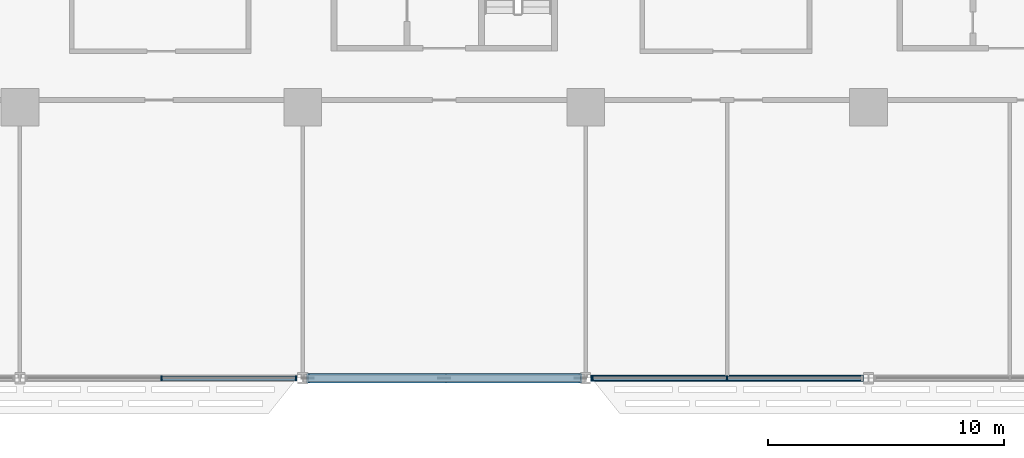
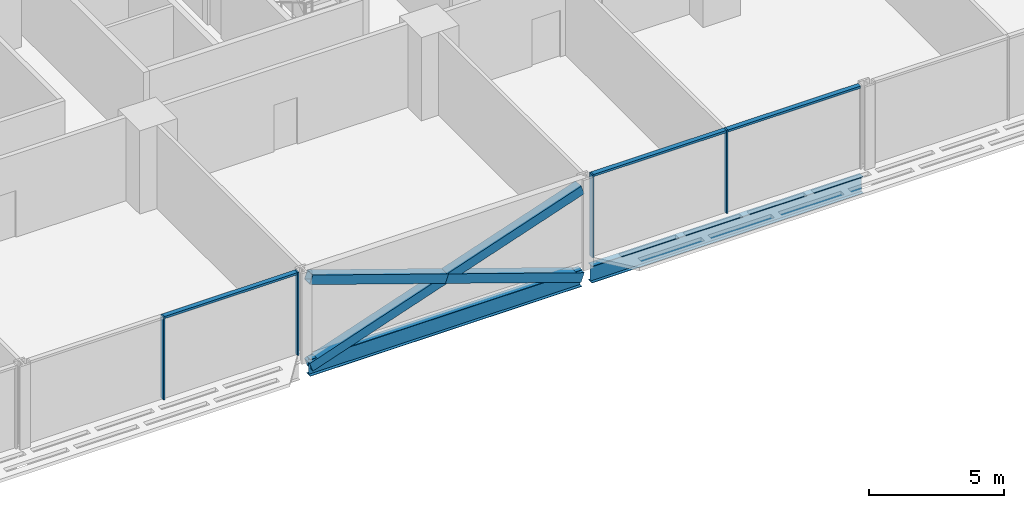
# One storey, part 4 of 29: 10 members, 2 beams, 2 elements without a shape of their own.
"""IFC4 building model written with IfcOpenShell, lengths in metres."""

import ifcopenshell
import ifcopenshell.guid

model = None  # the IFC model being written
_history = None  # IfcOwnerHistory: only IFC2X3 demands one
_inside = {}  # id of a spatial element -> (the spatial element, [elements in it])
_under = {}  # id of a project, library or spatial element -> (it, [spatial elements below it])
_declared = {}  # id of a project -> (the project, [libraries it declares])
_typed = {}  # id of a type object -> (the type object, [elements of that type])
_made_of = {}  # id of a material, layer set ... -> (it, [elements and type objects made of it])


def new_model(schema):
    """Start an empty IFC model of exactly this schema.

    Asked for "IFC4X3", IfcOpenShell would pick the latest addendum, in which some entities
    have other attributes; the version numbers below select the first issue.
    IFC2X3 requires an IfcOwnerHistory on every rooted entity: one is made here for all.
    """
    global model, _history
    if schema == "IFC4X3":
        model = ifcopenshell.file(schema_version=(4, 3, 0, 0))
    else:
        model = ifcopenshell.file(schema=schema)
    _inside.clear()
    _under.clear()
    _declared.clear()
    _typed.clear()
    _made_of.clear()
    _history = None
    if model.schema == "IFC2X3":
        org = make("IfcOrganization", Name="unknown")
        user = make(
            "IfcPersonAndOrganization",
            ThePerson=make("IfcPerson", FamilyName="unknown"),
            TheOrganization=org,
        )
        app = make(
            "IfcApplication",
            ApplicationDeveloper=org,
            Version="unknown",
            ApplicationFullName="unknown",
            ApplicationIdentifier="unknown",
        )
        _history = make(
            "IfcOwnerHistory",
            OwningUser=user,
            OwningApplication=app,
            ChangeAction="ADDED",
            CreationDate=0,
        )
    return model


def make(cls, **values):
    """One entity of the class cls with the attributes given. An attribute that is None is left unset."""
    return model.create_entity(
        cls, **{name: value for name, value in values.items() if value is not None}
    )


def rooted(cls, **values):
    """An entity with a GlobalId (a new one), such as an element, a storey or a relation."""
    return make(cls, GlobalId=ifcopenshell.guid.new(), OwnerHistory=_history, **values)


def si_unit(unit_type, name, prefix=None):
    """IfcSIUnit, for example si_unit("LENGTHUNIT", "METRE", prefix="MILLI")."""
    return make("IfcSIUnit", UnitType=unit_type, Prefix=prefix, Name=name)


def assignment(units):
    """IfcUnitAssignment: the units of a project."""
    return None if units is None else make("IfcUnitAssignment", Units=units)


def point(xyz):
    """IfcCartesianPoint."""
    return None if xyz is None else make("IfcCartesianPoint", Coordinates=xyz)


def direction(xyz):
    """IfcDirection."""
    return None if xyz is None else make("IfcDirection", DirectionRatios=xyz)


def frame(location, z_axis=None, x_axis=None):
    """IfcAxis2Placement3D, a coordinate frame: its origin and axes. An axis left out is left unset."""
    return make(
        "IfcAxis2Placement3D",
        Location=point(location),
        Axis=direction(z_axis),
        RefDirection=direction(x_axis),
    )


def frame_2d(location, x_axis=None):
    """IfcAxis2Placement2D, a coordinate frame in the plane: its origin and x axis."""
    return make(
        "IfcAxis2Placement2D", Location=point(location), RefDirection=direction(x_axis)
    )


def origin():
    """The frame at (0, 0, 0) with its axes left unset."""
    return frame((0.0, 0.0, 0.0))


def origin_2d():
    """The frame at (0, 0) in the plane with its x axis left unset."""
    return frame_2d((0.0, 0.0))


def place(relative_to, where):
    """IfcLocalPlacement: puts the frame where relative to a parent placement (None: the world)."""
    return make(
        "IfcLocalPlacement", PlacementRelTo=relative_to, RelativePlacement=where
    )


def context(
    kind, dimensions, precision=None, world=None, true_north=None, identifier=None
):
    """IfcGeometricRepresentationContext, for example the 3D "Model" context."""
    return make(
        "IfcGeometricRepresentationContext",
        ContextIdentifier=identifier,
        ContextType=kind,
        CoordinateSpaceDimension=dimensions,
        Precision=precision,
        WorldCoordinateSystem=world,
        TrueNorth=true_north,
    )


def subcontext(parent, identifier, kind, view, scale=None):
    """IfcGeometricRepresentationSubContext, for example "Body" below "Model"."""
    return make(
        "IfcGeometricRepresentationSubContext",
        ContextIdentifier=identifier,
        ContextType=kind,
        ParentContext=parent,
        TargetScale=scale,
        TargetView=view,
    )


def project(units=None, contexts=None):
    """IfcProject with its units and contexts."""
    return rooted(
        "IfcProject",
        Name="project",
        RepresentationContexts=contexts,
        UnitsInContext=assignment(units),
    )


def spatial(cls, under=None, at=None, **own):
    """A site, building, storey or space (cls), placed at a placement, below another one or the project."""
    s = rooted(cls, ObjectPlacement=at, **own)
    if under is not None:
        _under.setdefault(under.id(), (under, []))[1].append(s)
    return s


def profile(cls, at=None, kind="AREA", **sizes):
    """A parametric profile (cls). Its sizes go by their IFC names, for example OverallWidth=200.0."""
    return make(cls, ProfileType=kind, Position=at, **sizes)


def rectangle(**sizes):
    """IfcRectangleProfileDef."""
    return profile("IfcRectangleProfileDef", **sizes)


def hollow_rectangle(**sizes):
    """IfcRectangleHollowProfileDef."""
    return profile("IfcRectangleHollowProfileDef", **sizes)


def i_section(**sizes):
    """IfcIShapeProfileDef."""
    return profile("IfcIShapeProfileDef", **sizes)


def extrude(swept, where, along, depth):
    """IfcExtrudedAreaSolid: the profile swept, set in the frame where, extruded along a direction by depth."""
    return make(
        "IfcExtrudedAreaSolid",
        SweptArea=swept,
        Position=where,
        ExtrudedDirection=direction(along),
        Depth=depth,
    )


def shape(context_of_items, identifier, shape_type, items):
    """IfcShapeRepresentation: the items that make up one representation, for example the "Body"."""
    return make(
        "IfcShapeRepresentation",
        ContextOfItems=context_of_items,
        RepresentationIdentifier=identifier,
        RepresentationType=shape_type,
        Items=items,
    )


def material(Name=None, Category=None):
    """IfcMaterial."""
    return make("IfcMaterial", Name=Name, Category=Category)


def material_profile(
    of_material, cross_section, Name=None, Category=None, Priority=None
):
    """IfcMaterialProfile: a cross section and its material."""
    return make(
        "IfcMaterialProfile",
        Name=Name,
        Material=of_material,
        Profile=cross_section,
        Priority=Priority,
        Category=Category,
    )


def profile_set(profiles, Name=None, composite=None):
    """IfcMaterialProfileSet."""
    return make(
        "IfcMaterialProfileSet",
        Name=Name,
        MaterialProfiles=profiles,
        CompositeProfile=composite,
    )


def made_of(thing, what):
    """Note that an element or type object is made of a material, layer set ...; save() writes the relation."""
    if what is not None:
        _made_of.setdefault(what.id(), (what, []))[1].append(thing)
    return thing


def type_object(cls, material=None, **own):
    """A type object (cls), such as IfcWallType, which elements share."""
    return made_of(rooted(cls, **own), material)


def element(
    cls,
    number,
    at=None,
    inside=None,
    cuts=None,
    type_object=None,
    material=None,
    context=None,
    identifier="Body",
    shape_type=None,
    held_by="IfcProductDefinitionShape",
    body=None,
    shapes=None,
    **own,
):
    """One element of the class cls, such as IfcWall. Its Tag is "e" and its number.

    at: its placement. inside: the storey or other place that contains it. cuts: it is an
    opening in that element (IfcRelVoidsElement). A single representation is given by context,
    identifier, shape_type and body (its items); several are given by shapes. held_by: the class
    of the entity that holds the representations. save() writes the other relations.
    """
    e = rooted(cls, Tag="e%d" % number, ObjectPlacement=at, **own)
    if body is not None:
        shapes = [shape(context, identifier, shape_type, body)]
    if shapes is not None:
        e.Representation = make(held_by, Representations=shapes)
    if inside is not None:
        _inside.setdefault(inside.id(), (inside, []))[1].append(e)
    if cuts is not None:
        rooted(
            "IfcRelVoidsElement", RelatingBuildingElement=cuts, RelatedOpeningElement=e
        )
    if type_object is not None:
        _typed.setdefault(type_object.id(), (type_object, []))[1].append(e)
    return made_of(e, material)


def aggregate(whole, parts):
    """IfcRelAggregates: a whole, such as a stair, and the parts it consists of."""
    return rooted("IfcRelAggregates", RelatingObject=whole, RelatedObjects=parts)


def save(model, path):
    """Write the relations noted so far, then the file.

    IfcRelAggregates (storeys below a building ...), IfcRelContainedInSpatialStructure (elements
    in a storey), IfcRelDefinesByType, IfcRelAssociatesMaterial and IfcRelDeclares: one each for
    every whole, place, type object, material and project.
    """
    for whole, parts in _under.values():
        aggregate(whole, parts)
    for where, things in _inside.values():
        rooted(
            "IfcRelContainedInSpatialStructure",
            RelatedElements=things,
            RelatingStructure=where,
        )
    for kind, things in _typed.values():
        rooted("IfcRelDefinesByType", RelatedObjects=things, RelatingType=kind)
    for what, things in _made_of.values():
        rooted("IfcRelAssociatesMaterial", RelatedObjects=things, RelatingMaterial=what)
    for by, libraries in _declared.values():
        rooted("IfcRelDeclares", RelatingContext=by, RelatedDefinitions=libraries)
    model.write(path)


model = new_model("IFC4")

# Units and contexts
model_context = context("Model", 3, precision=1e-05, world=origin(), true_north=direction((0.0, 1.0)))
body_context = subcontext(model_context, "Body", "Model", "MODEL_VIEW")
ifc_project = project(units=[si_unit("LENGTHUNIT", "METRE"), si_unit("AREAUNIT", "SQUARE_METRE"), si_unit("VOLUMEUNIT", "CUBIC_METRE"), si_unit("PLANEANGLEUNIT", "RADIAN"), si_unit("MASSUNIT", "GRAM", prefix="KILO")], contexts=[model_context])

# Site, building, storey
site_placement = place(None, origin())
site = spatial("IfcSite", under=ifc_project, at=site_placement, CompositionType="ELEMENT")
building_placement = place(site_placement, origin())
building = spatial("IfcBuilding", under=site, at=building_placement, Name="Mahtab Terrace Research Tower", CompositionType="ELEMENT")
storey_placement = place(building_placement, frame((0.0, 0.0, 37.300048828125)))
storey = spatial("IfcBuildingStorey", under=building, at=storey_placement, Name="L08", CompositionType="ELEMENT", Elevation=37.300048828125)

# Members
ifc_material_1 = material(Name="Steel ASTM A500 Gr C", Category="steel")
ifc_material_profile_1 = material_profile(ifc_material_1, hollow_rectangle(XDim=0.406494140625, YDim=0.406494140625, WallThickness=0.01904296875, at=origin_2d()), Name="HSS16X16X3/4")
ifc_profile_set_1 = profile_set([ifc_material_profile_1], Name="Steel ASTM A500 Gr C")
member_type_1 = type_object("IfcMemberType", Name="HSS 16x16x3/4 brace XB161634", PredefinedType="BRACE", material=ifc_profile_set_1)
member_1_placement = place(storey_placement, frame((-5.7841796875, -23.0, -0.64501953125), z_axis=(0.946532370982, 0.0, 0.322608850907), x_axis=(0.0, 1.0, 0.0)))
element("IfcMember", 1, at=member_1_placement, inside=storey, type_object=member_type_1, Name="Exoskeleton brace L08 15 a", PredefinedType="BRACE", context=body_context, shape_type="SweptSolid", body=[
    extrude(hollow_rectangle(XDim=0.406494140625, YDim=0.406494140625, WallThickness=0.01904296875, at=origin_2d()), origin(), (0.0, 0.0, 1.0), 12.221923828125),
])
for number, where, z_axis, x_axis, name in (
    (2, (5.7841796875, -23.0, -0.64501953125), (-0.946532370982, 0.0, 0.322608850907), (0.0, -1.0, 0.0), "Exoskeleton brace L08 15 b1"),
    (3, (0.0, -23.0, 1.326416015625), (-0.946532370982, 0.0, 0.322608850907), (0.0, -1.0, 0.0), "Exoskeleton brace L08 15 b2"),
):
    element("IfcMember", number, at=place(storey_placement, frame(where, z_axis=z_axis, x_axis=x_axis)), inside=storey, type_object=member_type_1, Name=name, PredefinedType="BRACE", context=body_context, shape_type="SweptSolid", body=[
        extrude(hollow_rectangle(XDim=0.406494140625, YDim=0.406494140625, WallThickness=0.01904296875, at=origin_2d()), origin(), (0.0, 0.0, 1.0), 6.11083984375),
    ])

# Curtain wall, members
ifc_material_2 = material(Name="Laboratory ribbon curtain wall")
curtain_wall_type = type_object("IfcCurtainWallType", Name="Laboratory ribbon curtain wall", PredefinedType="NOTDEFINED", material=ifc_material_2)
curtain_wall_1_placement = place(storey_placement, origin())
curtain_wall_1 = element("IfcCurtainWall", 4, at=curtain_wall_1_placement, inside=storey, type_object=curtain_wall_type, Name="EN.L08.13.24", PredefinedType="NOTDEFINED")
ifc_material_3 = material(Name="Natural anodised aluminium", Category="aluminium")
ifc_material_profile_2 = material_profile(ifc_material_3, rectangle(XDim=0.199951171875, YDim=0.06494140625, at=origin_2d()), Name="MULLION 65x200")
ifc_profile_set_2 = profile_set([ifc_material_profile_2], Name="Natural anodised aluminium")
member_type_2 = type_object("IfcMemberType", Name="Laboratory ribbon curtain wall mullion", PredefinedType="MULLION", material=ifc_profile_set_2)
member_2_placement = place(storey_placement, frame((-12.0, -23.0, 0.0), z_axis=(0.0, 0.0, 1.0), x_axis=(0.0, 1.0, 0.0)))
member_2 = element("IfcMember", 5, at=member_2_placement, type_object=member_type_2, Name="CWL-1 mullion 2", PredefinedType="MULLION", context=body_context, shape_type="SweptSolid", body=[
    extrude(rectangle(XDim=0.199951171875, YDim=0.06494140625, at=origin_2d()), origin(), (0.0, 0.0, 1.0), 3.75),
])
member_3_placement = place(storey_placement, frame((-6.281494140625, -23.0, 0.0), z_axis=(0.0, 0.0, 1.0), x_axis=(0.0, 1.0, 0.0)))
member_3 = element("IfcMember", 6, at=member_3_placement, type_object=member_type_2, Name="CWL-1 mullion 3", PredefinedType="MULLION", context=body_context, shape_type="SweptSolid", body=[
    extrude(rectangle(XDim=0.199951171875, YDim=0.06494140625, at=origin_2d()), origin(), (0.0, 0.0, 1.0), 3.75),
])

curtain_wall_2_placement = place(storey_placement, origin())
curtain_wall_2 = element("IfcCurtainWall", 7, at=curtain_wall_2_placement, inside=storey, type_object=curtain_wall_type, Name="EN.L08.13.26", PredefinedType="NOTDEFINED")
member_4_placement = place(storey_placement, frame((6.281494140625, -23.0, 0.0), z_axis=(0.0, 0.0, 1.0), x_axis=(0.0, 1.0, 0.0)))
member_4 = element("IfcMember", 8, at=member_4_placement, type_object=member_type_2, Name="CWL-1 mullion 1", PredefinedType="MULLION", context=body_context, shape_type="SweptSolid", body=[
    extrude(rectangle(XDim=0.199951171875, YDim=0.06494140625, at=origin_2d()), origin(), (0.0, 0.0, 1.0), 3.75),
])
member_5_placement = place(storey_placement, frame((12.0, -23.0, 0.0), z_axis=(0.0, 0.0, 1.0), x_axis=(0.0, 1.0, 0.0)))
member_5 = element("IfcMember", 9, at=member_5_placement, type_object=member_type_2, Name="CWL-1 mullion 2", PredefinedType="MULLION", context=body_context, shape_type="SweptSolid", body=[
    extrude(rectangle(XDim=0.199951171875, YDim=0.06494140625, at=origin_2d()), origin(), (0.0, 0.0, 1.0), 3.75),
])

# Member
ifc_material_profile_3 = material_profile(ifc_material_3, rectangle(XDim=0.199951171875, YDim=0.10009765625, at=origin_2d()), Name="TRANSOM 100x200")
ifc_profile_set_3 = profile_set([ifc_material_profile_3], Name="Natural anodised aluminium")
member_type_3 = type_object("IfcMemberType", Name="Laboratory ribbon curtain wall transom", PredefinedType="USERDEFINED", material=ifc_profile_set_3)
member_6_placement = place(storey_placement, frame((-11.967529296875, -23.0, 3.699951171875), z_axis=(1.0, 0.0, 0.0), x_axis=(0.0, 1.0, 0.0)))
member_6 = element("IfcMember", 10, at=member_6_placement, type_object=member_type_3, Name="CWL-1 transom 2", ObjectType="TRANSOM", PredefinedType="USERDEFINED", context=body_context, shape_type="SweptSolid", body=[
    extrude(rectangle(XDim=0.199951171875, YDim=0.10009765625, at=origin_2d()), origin(), (0.0, 0.0, 1.0), 5.653564453125),
])

aggregate(curtain_wall_1, [member_2, member_3, member_6])

member_7_placement = place(storey_placement, frame((6.31396484375, -23.0, 3.699951171875), z_axis=(1.0, 0.0, 0.0), x_axis=(0.0, 1.0, 0.0)))
member_7 = element("IfcMember", 11, at=member_7_placement, type_object=member_type_3, Name="CWL-1 transom 1", ObjectType="TRANSOM", PredefinedType="USERDEFINED", context=body_context, shape_type="SweptSolid", body=[
    extrude(rectangle(XDim=0.199951171875, YDim=0.10009765625, at=origin_2d()), origin(), (0.0, 0.0, 1.0), 5.653564453125),
])

member_8_placement = place(storey_placement, frame((12.032470703125, -23.0, 3.699951171875), z_axis=(1.0, 0.0, 0.0), x_axis=(0.0, 1.0, 0.0)))
member_8 = element("IfcMember", 12, at=member_8_placement, type_object=member_type_3, Name="CWL-1 transom 2", ObjectType="TRANSOM", PredefinedType="USERDEFINED", context=body_context, shape_type="SweptSolid", body=[
    extrude(rectangle(XDim=0.199951171875, YDim=0.10009765625, at=origin_2d()), origin(), (0.0, 0.0, 1.0), 5.653564453125),
])

aggregate(curtain_wall_2, [member_4, member_5, member_7, member_8])

# Beams
ifc_material_4 = material(Name="Steel ASTM A992 Gr 50", Category="steel")
ifc_material_profile_4 = material_profile(ifc_material_4, i_section(OverallWidth=0.2666015625, OverallDepth=0.7568359375, WebThickness=0.013916015625, FlangeThickness=0.019287109375, at=origin_2d()), Name="W30X108")
ifc_profile_set_4 = profile_set([ifc_material_profile_4], Name="Steel ASTM A992 Gr 50")
beam_type = type_object("IfcBeamType", Name="W30x108 beam BS30108", PredefinedType="BEAM", material=ifc_profile_set_4)
for number, where, z_axis, x_axis, name in (
    (13, (-5.7841796875, -23.0, -0.718505859375), (1.0, 0.0, 0.0), (0.0, 1.0, 0.0), "Spandrel beam L08 15"),
    (14, (6.2158203125, -23.0, -0.718505859375), (1.0, 0.0, 0.0), (0.0, 1.0, 0.0), "Spandrel beam L08 16"),
):
    element("IfcBeam", number, at=place(storey_placement, frame(where, z_axis=z_axis, x_axis=x_axis)), inside=storey, type_object=beam_type, Name=name, PredefinedType="BEAM", context=body_context, shape_type="SweptSolid", body=[
        extrude(i_section(OverallWidth=0.2666015625, OverallDepth=0.7568359375, WebThickness=0.013916015625, FlangeThickness=0.019287109375, at=origin_2d()), origin(), (0.0, 0.0, 1.0), 11.568359375),
    ])

save(model, "model.ifc")
